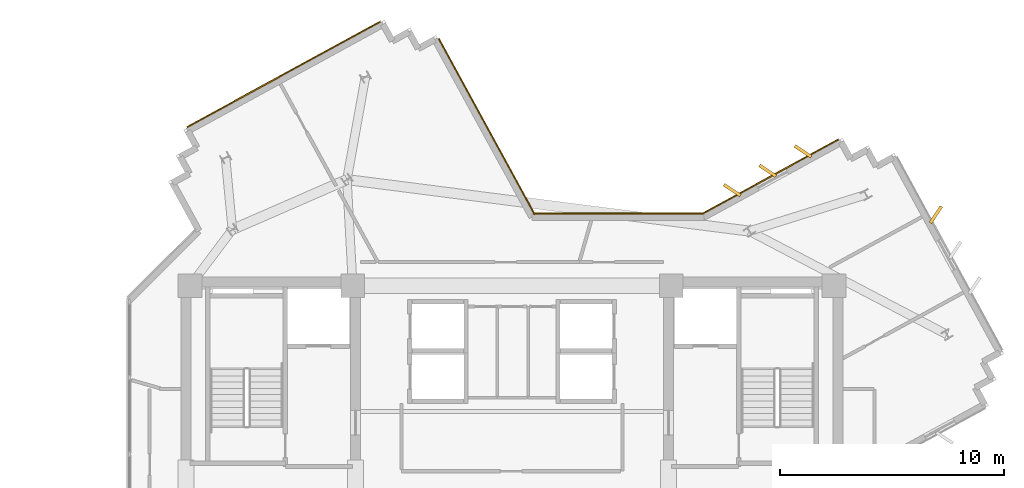
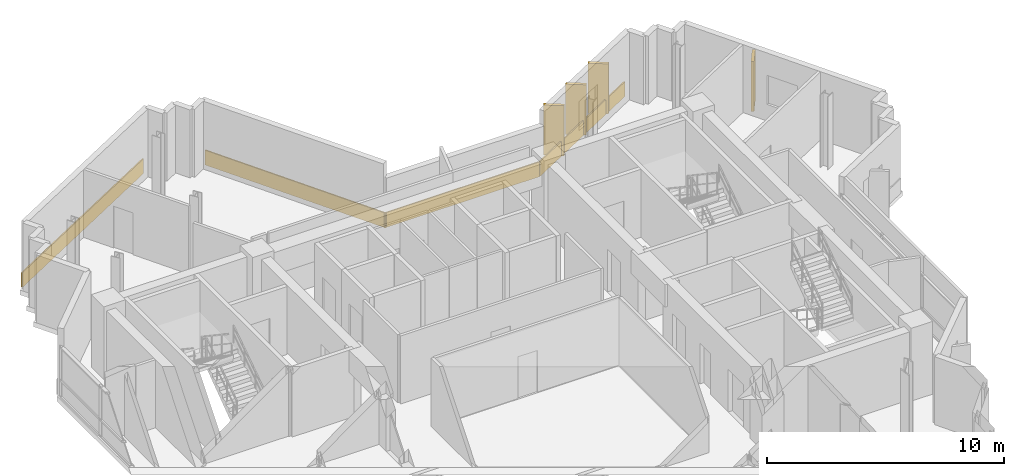
# One storey, part 13 of 13: 8 coverings.
"""IFC4 building model written with IfcOpenShell, lengths in metres."""

from ifc_helpers import new_model, si_unit, direction, frame, origin, origin_2d, place, context, subcontext, project, spatial, rectangle, extrude, source, transform, mapped, material, layer, layer_set, type_object, element, save


model = new_model("IFC4")

# Units and contexts
model_context = context("Model", 3, precision=1e-05, world=origin(), true_north=direction((0.0, 1.0)))
body_context = subcontext(model_context, "Body", "Model", "MODEL_VIEW")
ifc_project = project(units=[si_unit("LENGTHUNIT", "METRE"), si_unit("AREAUNIT", "SQUARE_METRE"), si_unit("VOLUMEUNIT", "CUBIC_METRE"), si_unit("PLANEANGLEUNIT", "RADIAN"), si_unit("MASSUNIT", "GRAM", prefix="KILO")], contexts=[model_context])

# Site, building, storey
site_placement = place(None, origin())
site = spatial("IfcSite", under=ifc_project, at=site_placement, CompositionType="ELEMENT")
building_placement = place(site_placement, origin())
building = spatial("IfcBuilding", under=site, at=building_placement, Name="Zahravan Cultural Tower", CompositionType="ELEMENT")
storey_placement = place(building_placement, frame((0.0, 0.0, 254.10009765625)))
storey = spatial("IfcBuildingStorey", under=building, at=storey_placement, Name="L60", CompositionType="ELEMENT", Elevation=254.10009765625)

# Coverings
ifc_material = material(Name="Terracotta ceramic cladding", Category="masonry")
ifc_layer = layer(ifc_material, 0.06005859375)
ifc_layer_set = layer_set([ifc_layer], Name="Terracotta ceramic cladding")
covering_type = type_object("IfcCoveringType", Name="COV-CLAD-TC60", PredefinedType="CLADDING", material=ifc_layer_set)
shared_shape_1 = source(origin(), body_context, "Body", "SweptSolid", [
    extrude(rectangle(XDim=9.820068359375, YDim=0.06005859375, at=origin_2d()), origin(), (0.0, 0.0, 1.0), 0.760009765625),
])
covering_1_placement = place(storey_placement, frame((25.823486328125, 45.626220703125, 0.02001953125), z_axis=(0.0, 0.0, 1.0), x_axis=(0.877564903719, 0.479457860256, 0.0)))
element("IfcCovering", 1, at=covering_1_placement, inside=storey, type_object=covering_type, Name="L60 Terracotta Spandrel Cladding 42", PredefinedType="CLADDING", context=body_context, shape_type="MappedRepresentation", body=[
    mapped(shared_shape_1, transform((0.0, 0.0, 0.0), x_axis=(1.0, 0.0, 0.0), y_axis=(0.0, 1.0, 0.0), z_axis=(0.0, 0.0, 1.0), scale=1.0)),
])
shared_shape_2 = source(origin(), body_context, "Body", "SweptSolid", [
    extrude(rectangle(XDim=0.8798828125, YDim=0.139892578125, at=origin_2d()), origin(), (0.0, 0.0, 1.0), 2.580078125),
])
for number, where, z_axis, x_axis, name in (
    (2, (45.81640625, 40.465087890625, 0.0498046875), (0.0, 0.0, 1.0), (-0.835327930385, 0.549751988372, 0.0), "L60 Herringbone Terracotta Fin 01"),
    (3, (47.39599609375, 41.328125, 0.0498046875), (0.0, 0.0, 1.0), (-0.835327930385, 0.549751988372, 0.0), "L60 Herringbone Terracotta Fin 02"),
    (4, (48.9755859375, 42.191162109375, 0.0498046875), (0.0, 0.0, 1.0), (-0.835327930385, 0.549751988372, 0.0), "L60 Herringbone Terracotta Fin 03"),
    (5, (54.89111328125, 39.372314453125, 0.0498046875), (0.0, 0.0, 1.0), (0.549751988372, 0.835327930385, 0.0), "L60 Herringbone Terracotta Fin 04"),
):
    element("IfcCovering", number, at=place(storey_placement, frame(where, z_axis=z_axis, x_axis=x_axis)), inside=storey, type_object=covering_type, Name=name, PredefinedType="CLADDING", context=body_context, shape_type="MappedRepresentation", body=[
        mapped(shared_shape_2, transform((0.0, 0.0, 0.0), x_axis=(1.0, 0.0, 0.0), y_axis=(0.0, 1.0, 0.0), z_axis=(0.0, 0.0, 1.0), scale=1.0)),
    ])
shared_shape_3 = source(origin(), body_context, "Body", "SweptSolid", [
    extrude(rectangle(XDim=6.87939453125, YDim=0.06005859375, at=origin_2d()), origin(), (0.0, 0.0, 1.0), 0.760009765625),
])
covering_2_placement = place(storey_placement, frame((47.532470703125, 41.077880859375, 0.02001953125), z_axis=(0.0, 0.0, 1.0), x_axis=(0.877564903719, 0.479457860256, 0.0)))
element("IfcCovering", 6, at=covering_2_placement, inside=storey, type_object=covering_type, Name="L60 Terracotta Spandrel Cladding 01", PredefinedType="CLADDING", context=body_context, shape_type="MappedRepresentation", body=[
    mapped(shared_shape_3, transform((0.0, 0.0, 0.0), x_axis=(1.0, 0.0, 0.0), y_axis=(0.0, 1.0, 0.0), z_axis=(0.0, 0.0, 1.0), scale=1.0)),
])
shared_shape_4 = source(origin(), body_context, "Body", "SweptSolid", [
    extrude(rectangle(XDim=8.92822265625, YDim=0.06005859375, at=origin_2d()), origin(), (0.0, 0.0, 1.0), 0.760009765625),
])
covering_3_placement = place(storey_placement, frame((34.871337890625, 43.300537109375, 0.02001953125), z_axis=(0.0, 0.0, 1.0), x_axis=(0.479457860256, -0.877564903719, 0.0)))
element("IfcCovering", 7, at=covering_3_placement, inside=storey, type_object=covering_type, Name="L60 Terracotta Spandrel Cladding 47", PredefinedType="CLADDING", context=body_context, shape_type="MappedRepresentation", body=[
    mapped(shared_shape_4, transform((0.0, 0.0, 0.0), x_axis=(1.0, 0.0, 0.0), y_axis=(0.0, 1.0, 0.0), z_axis=(0.0, 0.0, 1.0), scale=1.0)),
])
shared_shape_5 = source(origin(), body_context, "Body", "SweptSolid", [
    extrude(rectangle(XDim=7.55810546875, YDim=0.06005859375, at=origin_2d()), origin(), (0.0, 0.0, 1.0), 0.760009765625),
])
covering_4_placement = place(storey_placement, frame((40.72021484375, 39.425048828125, 0.02001953125), z_axis=(0.0, 0.0, 1.0), x_axis=(1.0, 0.0, 0.0)))
element("IfcCovering", 8, at=covering_4_placement, inside=storey, type_object=covering_type, Name="L60 Terracotta Spandrel Cladding 48", PredefinedType="CLADDING", context=body_context, shape_type="MappedRepresentation", body=[
    mapped(shared_shape_5, transform((0.0, 0.0, 0.0), x_axis=(1.0, 0.0, 0.0), y_axis=(0.0, 1.0, 0.0), z_axis=(0.0, 0.0, 1.0), scale=1.0)),
])

save(model, "model.ifc")
